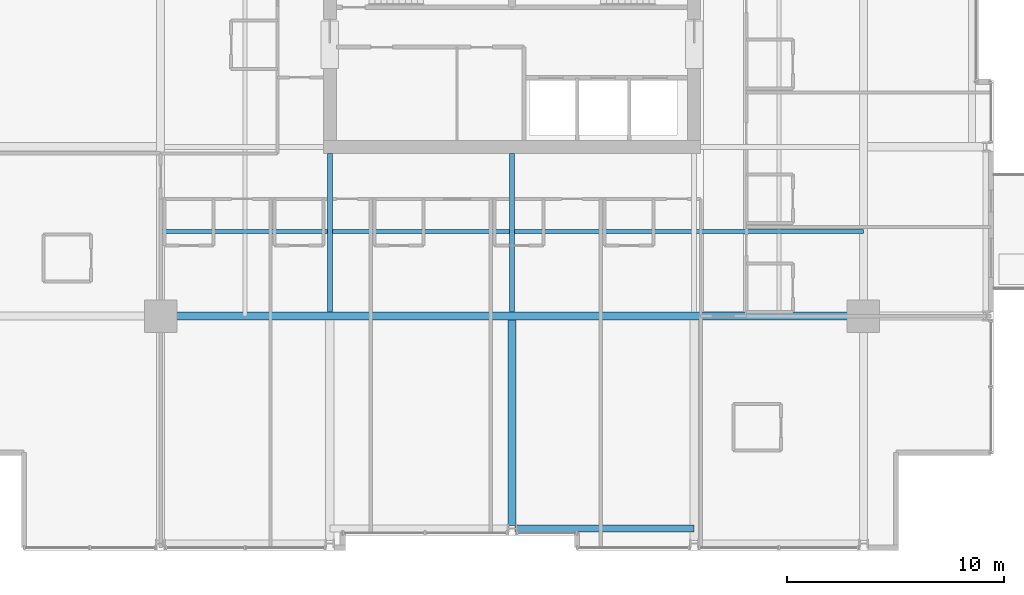
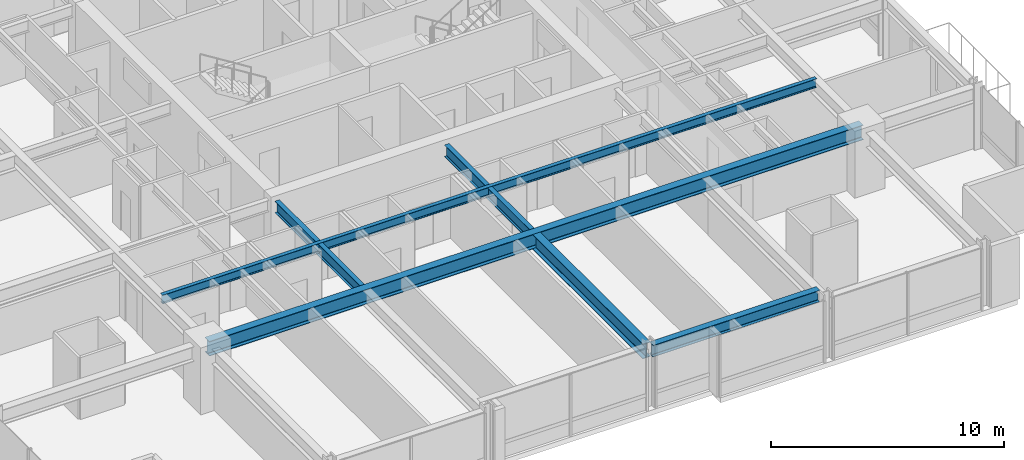
# One storey, part 6 of 35: 6 beams.
"""IFC4 building model written with IfcOpenShell, lengths in metres."""

from ifc_helpers import new_model, si_unit, direction, frame, origin, origin_2d, place, context, subcontext, project, spatial, i_section, extrude, material, material_profile, profile_set, type_object, element, save


model = new_model("IFC4")

# Units and contexts
model_context = context("Model", 3, precision=1e-05, world=origin(), true_north=direction((0.0, 1.0)))
body_context = subcontext(model_context, "Body", "Model", "MODEL_VIEW")
ifc_project = project(units=[si_unit("LENGTHUNIT", "METRE"), si_unit("AREAUNIT", "SQUARE_METRE"), si_unit("VOLUMEUNIT", "CUBIC_METRE"), si_unit("PLANEANGLEUNIT", "RADIAN"), si_unit("MASSUNIT", "GRAM", prefix="KILO")], contexts=[model_context])

# Site, building, storey
site_placement = place(None, origin())
site = spatial("IfcSite", under=ifc_project, at=site_placement, CompositionType="ELEMENT")
building_placement = place(site_placement, origin())
building = spatial("IfcBuilding", under=site, at=building_placement, Name="Drelvath Grand Hotel", CompositionType="ELEMENT")
storey_placement = place(building_placement, frame((0.0, 0.0, 98.800048828125)))
storey = spatial("IfcBuildingStorey", under=building, at=storey_placement, Name="L24", CompositionType="ELEMENT", Elevation=98.800048828125)

# Beams
ifc_material = material(Name="Steel ASTM A992 Gr 50", Category="steel")
ifc_material_profile_1 = material_profile(ifc_material, i_section(OverallWidth=0.19140625, OverallDepth=0.4599609375, WebThickness=0.010009765625, FlangeThickness=0.01611328125, FilletRadius=0.01611328125, at=origin_2d()), Name="W18X55")
ifc_profile_set_1 = profile_set([ifc_material_profile_1], Name="Steel ASTM A992 Gr 50")
beam_type_1 = type_object("IfcBeamType", Name="Composite Floor Joist W18X55", PredefinedType="JOIST", material=ifc_profile_set_1)
beam_1_placement = place(storey_placement, frame((-16.199951171875, 14.699951171875, 3.010009765625), z_axis=(1.0, 0.0, 0.0), x_axis=(0.0, 1.0, 0.0)))
element("IfcBeam", 1, at=beam_1_placement, inside=storey, type_object=beam_type_1, Name="L24 Floor Joist J1", PredefinedType="JOIST", context=body_context, shape_type="SweptSolid", body=[
    extrude(i_section(OverallWidth=0.19140625, OverallDepth=0.4599609375, WebThickness=0.010009765625, FlangeThickness=0.01611328125, FilletRadius=0.01611328125, at=origin_2d()), origin(), (0.0, 0.0, 1.0), 32.39990234375),
])
ifc_material_profile_2 = material_profile(ifc_material, i_section(OverallWidth=0.323974609375, OverallDepth=0.611083984375, WebThickness=0.0126953125, FlangeThickness=0.01904296875, FilletRadius=0.02197265625, at=origin_2d()), Name="W24X104")
ifc_profile_set_2 = profile_set([ifc_material_profile_2], Name="Steel ASTM A992 Gr 50")
beam_type_2 = type_object("IfcBeamType", Name="Perimeter Spandrel Beam W24X104", PredefinedType="SPANDREL", material=ifc_profile_set_2)
beam_2_placement = place(storey_placement, frame((0.139892578125, 1.0, 2.9345703125), z_axis=(1.0, 0.0, 0.0), x_axis=(0.0, 1.0, 0.0)))
element("IfcBeam", 2, at=beam_2_placement, inside=storey, type_object=beam_type_2, Name="L24 Spandrel South Mid E", PredefinedType="SPANDREL", context=body_context, shape_type="SweptSolid", body=[
    extrude(i_section(OverallWidth=0.323974609375, OverallDepth=0.611083984375, WebThickness=0.0126953125, FlangeThickness=0.01904296875, FilletRadius=0.02197265625, at=origin_2d()), origin(), (0.0, 0.0, 1.0), 8.260009765625),
])
ifc_material_profile_3 = material_profile(ifc_material, i_section(OverallWidth=0.228271484375, OverallDepth=0.607666015625, WebThickness=0.01123046875, FlangeThickness=0.017333984375, FilletRadius=0.02001953125, at=origin_2d()), Name="W24X76")
ifc_profile_set_3 = profile_set([ifc_material_profile_3], Name="Steel ASTM A992 Gr 50")
beam_type_3 = type_object("IfcBeamType", Name="Primary Floor Girder W24X76", PredefinedType="BEAM", material=ifc_profile_set_3)
for number, where, z_axis, x_axis, name in (
    (3, (-8.39990234375, 10.990234375, 2.93603515625), (0.0, 1.0, 0.0), (-1.0, 0.0, 0.0), "L24 South Core Tie 4"),
    (4, (0.0, 10.990234375, 2.93603515625), (0.0, 1.0, 0.0), (-1.0, 0.0, 0.0), "L24 South Core Tie 5"),
):
    element("IfcBeam", number, at=place(storey_placement, frame(where, z_axis=z_axis, x_axis=x_axis)), inside=storey, type_object=beam_type_3, Name=name, PredefinedType="BEAM", context=body_context, shape_type="SweptSolid", body=[
        extrude(i_section(OverallWidth=0.228271484375, OverallDepth=0.607666015625, WebThickness=0.01123046875, FlangeThickness=0.017333984375, FilletRadius=0.02001953125, at=origin_2d()), origin(), (0.0, 0.0, 1.0), 7.309814453125),
    ])
ifc_material_profile_4 = material_profile(ifc_material, i_section(OverallWidth=0.380615234375, OverallDepth=0.773193359375, WebThickness=0.0166015625, FlangeThickness=0.027099609375, FilletRadius=0.02490234375, at=origin_2d()), Name="W30X173")
ifc_profile_set_4 = profile_set([ifc_material_profile_4], Name="Steel ASTM A992 Gr 50")
beam_type_4 = type_object("IfcBeamType", Name="Primary Floor Girder W30X173", PredefinedType="BEAM", material=ifc_profile_set_4)
beam_3_placement = place(storey_placement, frame((-16.199951171875, 10.800048828125, 2.853271484375), z_axis=(1.0, 0.0, 0.0), x_axis=(0.0, 1.0, 0.0)))
element("IfcBeam", 5, at=beam_3_placement, inside=storey, type_object=beam_type_4, Name="L24 Mega Ring Girder South", PredefinedType="BEAM", context=body_context, shape_type="SweptSolid", body=[
    extrude(i_section(OverallWidth=0.380615234375, OverallDepth=0.773193359375, WebThickness=0.0166015625, FlangeThickness=0.027099609375, FilletRadius=0.02490234375, at=origin_2d()), origin(), (0.0, 0.0, 1.0), 32.39990234375),
])
beam_4_placement = place(storey_placement, frame((0.0, 1.139892578125, 2.853271484375), z_axis=(0.0, 1.0, 0.0), x_axis=(-1.0, 0.0, 0.0)))
element("IfcBeam", 6, at=beam_4_placement, inside=storey, type_object=beam_type_4, Name="L24 South Wing Girder 5", PredefinedType="BEAM", context=body_context, shape_type="SweptSolid", body=[
    extrude(i_section(OverallWidth=0.380615234375, OverallDepth=0.773193359375, WebThickness=0.0166015625, FlangeThickness=0.027099609375, FilletRadius=0.02490234375, at=origin_2d()), origin(), (0.0, 0.0, 1.0), 9.4697265625),
])

save(model, "model.ifc")
